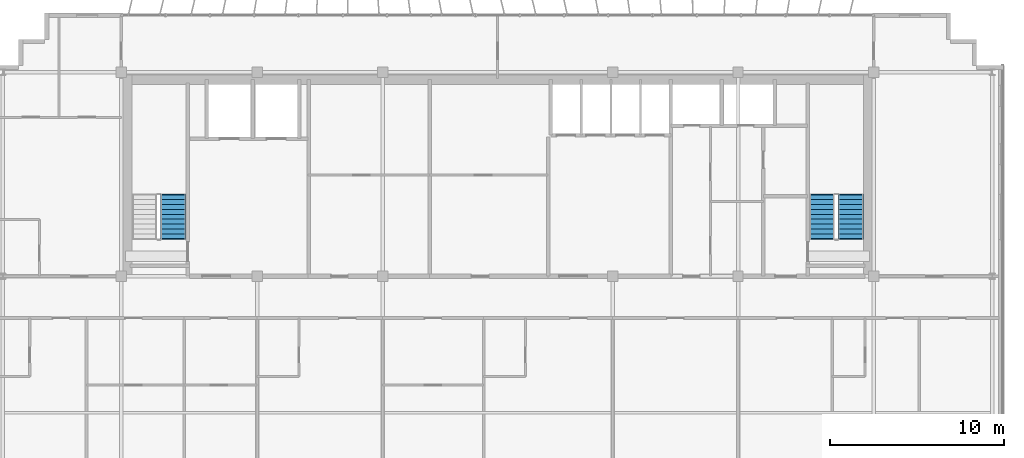
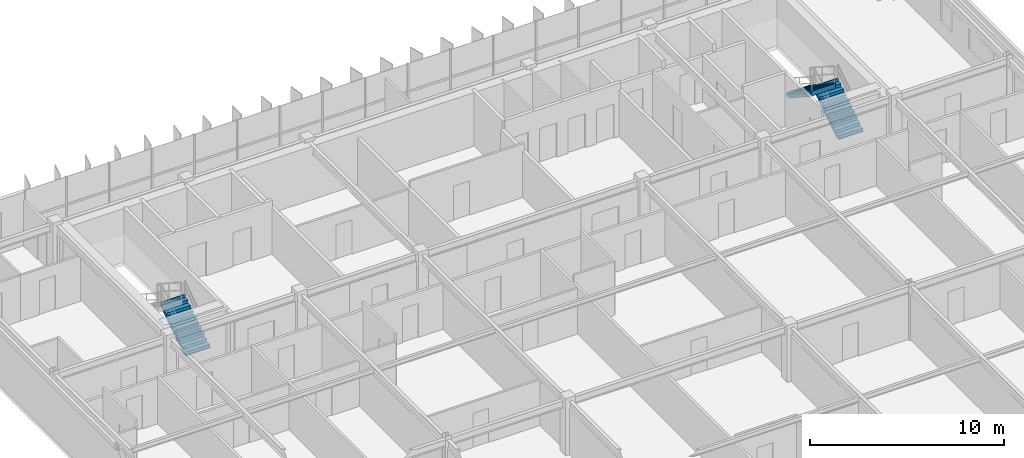
# One storey, part 21 of 23: 3 stair flights, 2 elements without a shape of their own.
"""IFC4 building model written with IfcOpenShell, lengths in metres."""

from ifc_helpers import new_model, si_unit, direction, frame, origin, place, context, subcontext, project, spatial, polyline, outline, extrude, source, transform, mapped, material, type_object, element, aggregate, save


model = new_model("IFC4")

# Units and contexts
model_context = context("Model", 3, precision=1e-05, world=origin(), true_north=direction((0.0, 1.0)))
body_context = subcontext(model_context, "Body", "Model", "MODEL_VIEW")
ifc_project = project(units=[si_unit("LENGTHUNIT", "METRE"), si_unit("AREAUNIT", "SQUARE_METRE"), si_unit("VOLUMEUNIT", "CUBIC_METRE"), si_unit("PLANEANGLEUNIT", "RADIAN"), si_unit("MASSUNIT", "GRAM", prefix="KILO")], contexts=[model_context])

# Site, building, storey
site_placement = place(None, origin())
site = spatial("IfcSite", under=ifc_project, at=site_placement, CompositionType="ELEMENT")
building_placement = place(site_placement, origin())
building = spatial("IfcBuilding", under=site, at=building_placement, Name="Trelvane Seafront Commons", CompositionType="ELEMENT")
storey_placement = place(building_placement, frame((0.0, 0.0, 263.10009765625)))
storey = spatial("IfcBuildingStorey", under=building, at=storey_placement, Name="L68", CompositionType="ELEMENT", Elevation=263.10009765625)

# Stair, stair flight
ifc_material = material(Name="Concrete C40/50", Category="concrete")
stair_type_1 = type_object("IfcStairType", Name="ARCH-STR-ST-1-R20-180", PredefinedType="HALF_TURN_STAIR", material=ifc_material)
stair_1_placement = place(storey_placement, origin())
stair_1 = element("IfcStair", 1, at=stair_1_placement, inside=storey, type_object=stair_type_1, Name="L68 West Protected Firefighting Exit Stair ST-1", PredefinedType="HALF_TURN_STAIR")
stair_flight_type_1 = type_object("IfcStairFlightType", Name="ARCH-FLG-ST-1-R20-180", PredefinedType="STRAIGHT", material=ifc_material)
shared_shape = source(origin(), body_context, "Body", "SweptSolid", [
    extrude(outline(polyline([(-0.050048828125, -0.02001953125), (-0.050048828125, 0.0), (0.0, 0.0), (0.0, 0.179931640625), (0.280029296875, 0.179931640625), (0.280029296875, 0.360107421875), (0.56005859375, 0.360107421875), (0.56005859375, 0.5400390625), (0.840087890625, 0.5400390625), (0.840087890625, 0.719970703125), (1.1201171875, 0.719970703125), (1.1201171875, 0.89990234375), (1.39990234375, 0.89990234375), (1.39990234375, 1.080078125), (1.679931640625, 1.080078125), (1.679931640625, 1.260009765625), (1.9599609375, 1.260009765625), (1.9599609375, 1.43994140625), (2.239990234375, 1.43994140625), (2.239990234375, 1.6201171875), (2.52001953125, 1.6201171875), (2.52001953125, 1.800048828125), (2.570068359375, 1.800048828125), (2.570068359375, 1.650146484375), (2.52001953125, 1.44189453125), (0.277099609375, -0.02001953125), (-0.050048828125, -0.02001953125)])), frame((0.0, 0.72509765625, 0.0), z_axis=(0.0, -1.0, 0.0), x_axis=(1.0, 0.0, 0.0)), (0.0, 0.0, 1.0), 1.449951171875),
])
stair_flight_1_placement = place(storey_placement, frame((18.574951171875, 35.550048828125, 0.0), z_axis=(0.0, 0.0, 1.0), x_axis=(0.0, 1.0, 0.0)))
stair_flight_1 = element("IfcStairFlight", 2, at=stair_flight_1_placement, type_object=stair_flight_type_1, Name="ST-1 flight 1", NumberOfRisers=10, NumberOfTreads=9, PredefinedType="STRAIGHT", RiserHeight=0.18, TreadLength=0.28, context=body_context, shape_type="MappedRepresentation", body=[
    mapped(shared_shape, transform((0.0, 0.0, 0.0), x_axis=(1.0, 0.0, 0.0), y_axis=(0.0, 1.0, 0.0), z_axis=(0.0, 0.0, 1.0), scale=1.0)),
])
aggregate(stair_1, [stair_flight_1])

# Stair, stair flights
stair_type_2 = type_object("IfcStairType", Name="ARCH-STR-ST-2-R20-180", PredefinedType="HALF_TURN_STAIR", material=ifc_material)
stair_2_placement = place(storey_placement, origin())
stair_2 = element("IfcStair", 3, at=stair_2_placement, inside=storey, type_object=stair_type_2, Name="L68 East Protected Firefighting Exit Stair ST-2", PredefinedType="HALF_TURN_STAIR")
stair_flight_type_2 = type_object("IfcStairFlightType", Name="ARCH-FLG-ST-2-R20-180", PredefinedType="STRAIGHT", material=ifc_material)
stair_flight_2_placement = place(storey_placement, frame((57.47509765625, 35.550048828125, 0.0), z_axis=(0.0, 0.0, 1.0), x_axis=(0.0, 1.0, 0.0)))
stair_flight_2 = element("IfcStairFlight", 4, at=stair_flight_2_placement, type_object=stair_flight_type_2, Name="ST-2 flight 1", NumberOfRisers=10, NumberOfTreads=9, PredefinedType="STRAIGHT", RiserHeight=0.18, TreadLength=0.28, context=body_context, shape_type="MappedRepresentation", body=[
    mapped(shared_shape, transform((0.0, 0.0, 0.0), x_axis=(1.0, 0.0, 0.0), y_axis=(0.0, 1.0, 0.0), z_axis=(0.0, 0.0, 1.0), scale=1.0)),
])
stair_flight_3_placement = place(storey_placement, frame((55.824951171875, 38.070068359375, 1.7998046875), z_axis=(0.0, 0.0, 1.0), x_axis=(0.0, -1.0, 0.0)))
stair_flight_3 = element("IfcStairFlight", 5, at=stair_flight_3_placement, type_object=stair_flight_type_2, Name="ST-2 flight 2", NumberOfRisers=10, NumberOfTreads=9, PredefinedType="STRAIGHT", RiserHeight=0.18, TreadLength=0.28, context=body_context, shape_type="MappedRepresentation", body=[
    mapped(shared_shape, transform((0.0, 0.0, 0.0), x_axis=(1.0, 0.0, 0.0), y_axis=(0.0, 1.0, 0.0), z_axis=(0.0, 0.0, 1.0), scale=1.0)),
])
aggregate(stair_2, [stair_flight_2, stair_flight_3])

save(model, "model.ifc")
